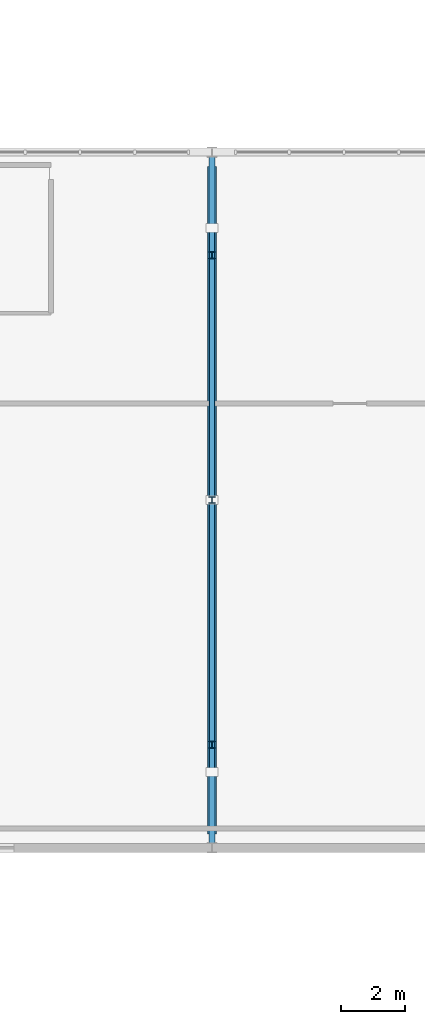
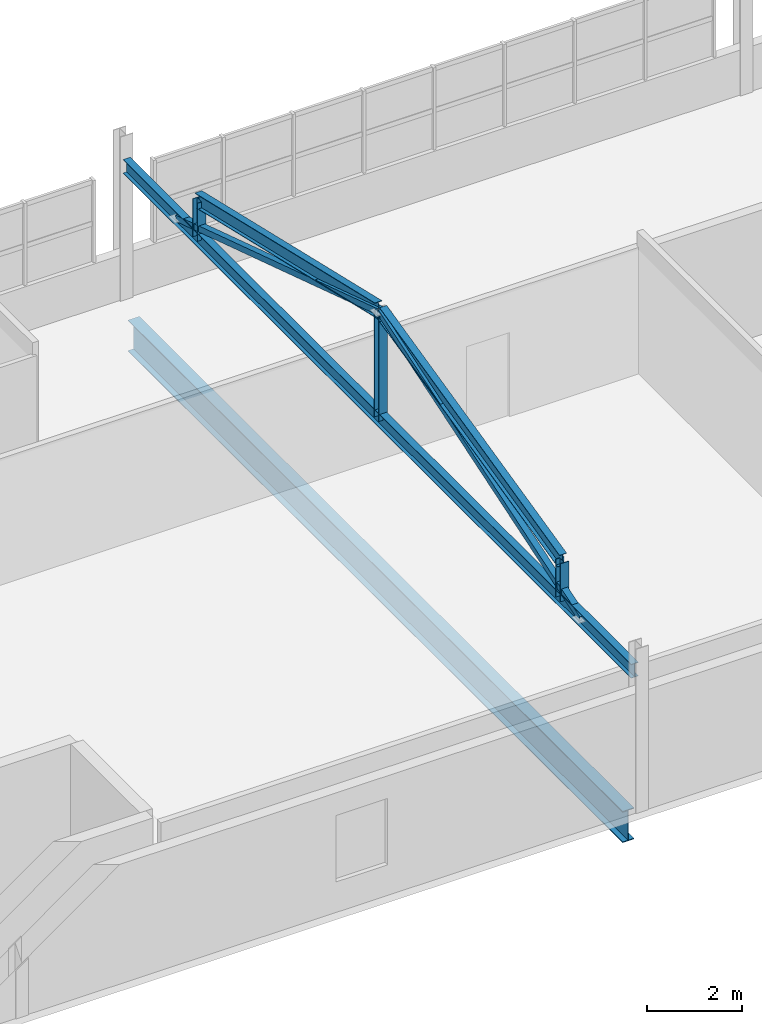
# One storey, part 14 of 90: 5 members, 4 beams.
"""IFC4 building model written with IfcOpenShell, lengths in metres."""

import ifcopenshell
import ifcopenshell.guid

model = None  # the IFC model being written
_history = None  # IfcOwnerHistory: only IFC2X3 demands one
_inside = {}  # id of a spatial element -> (the spatial element, [elements in it])
_under = {}  # id of a project, library or spatial element -> (it, [spatial elements below it])
_declared = {}  # id of a project -> (the project, [libraries it declares])
_typed = {}  # id of a type object -> (the type object, [elements of that type])
_made_of = {}  # id of a material, layer set ... -> (it, [elements and type objects made of it])


def new_model(schema):
    """Start an empty IFC model of exactly this schema.

    Asked for "IFC4X3", IfcOpenShell would pick the latest addendum, in which some entities
    have other attributes; the version numbers below select the first issue.
    IFC2X3 requires an IfcOwnerHistory on every rooted entity: one is made here for all.
    """
    global model, _history
    if schema == "IFC4X3":
        model = ifcopenshell.file(schema_version=(4, 3, 0, 0))
    else:
        model = ifcopenshell.file(schema=schema)
    _inside.clear()
    _under.clear()
    _declared.clear()
    _typed.clear()
    _made_of.clear()
    _history = None
    if model.schema == "IFC2X3":
        org = make("IfcOrganization", Name="unknown")
        user = make(
            "IfcPersonAndOrganization",
            ThePerson=make("IfcPerson", FamilyName="unknown"),
            TheOrganization=org,
        )
        app = make(
            "IfcApplication",
            ApplicationDeveloper=org,
            Version="unknown",
            ApplicationFullName="unknown",
            ApplicationIdentifier="unknown",
        )
        _history = make(
            "IfcOwnerHistory",
            OwningUser=user,
            OwningApplication=app,
            ChangeAction="ADDED",
            CreationDate=0,
        )
    return model


def make(cls, **values):
    """One entity of the class cls with the attributes given. An attribute that is None is left unset."""
    return model.create_entity(
        cls, **{name: value for name, value in values.items() if value is not None}
    )


def rooted(cls, **values):
    """An entity with a GlobalId (a new one), such as an element, a storey or a relation."""
    return make(cls, GlobalId=ifcopenshell.guid.new(), OwnerHistory=_history, **values)


def si_unit(unit_type, name, prefix=None):
    """IfcSIUnit, for example si_unit("LENGTHUNIT", "METRE", prefix="MILLI")."""
    return make("IfcSIUnit", UnitType=unit_type, Prefix=prefix, Name=name)


def assignment(units):
    """IfcUnitAssignment: the units of a project."""
    return None if units is None else make("IfcUnitAssignment", Units=units)


def point(xyz):
    """IfcCartesianPoint."""
    return None if xyz is None else make("IfcCartesianPoint", Coordinates=xyz)


def direction(xyz):
    """IfcDirection."""
    return None if xyz is None else make("IfcDirection", DirectionRatios=xyz)


def frame(location, z_axis=None, x_axis=None):
    """IfcAxis2Placement3D, a coordinate frame: its origin and axes. An axis left out is left unset."""
    return make(
        "IfcAxis2Placement3D",
        Location=point(location),
        Axis=direction(z_axis),
        RefDirection=direction(x_axis),
    )


def frame_2d(location, x_axis=None):
    """IfcAxis2Placement2D, a coordinate frame in the plane: its origin and x axis."""
    return make(
        "IfcAxis2Placement2D", Location=point(location), RefDirection=direction(x_axis)
    )


def origin():
    """The frame at (0, 0, 0) with its axes left unset."""
    return frame((0.0, 0.0, 0.0))


def origin_2d():
    """The frame at (0, 0) in the plane with its x axis left unset."""
    return frame_2d((0.0, 0.0))


def place(relative_to, where):
    """IfcLocalPlacement: puts the frame where relative to a parent placement (None: the world)."""
    return make(
        "IfcLocalPlacement", PlacementRelTo=relative_to, RelativePlacement=where
    )


def context(
    kind, dimensions, precision=None, world=None, true_north=None, identifier=None
):
    """IfcGeometricRepresentationContext, for example the 3D "Model" context."""
    return make(
        "IfcGeometricRepresentationContext",
        ContextIdentifier=identifier,
        ContextType=kind,
        CoordinateSpaceDimension=dimensions,
        Precision=precision,
        WorldCoordinateSystem=world,
        TrueNorth=true_north,
    )


def subcontext(parent, identifier, kind, view, scale=None):
    """IfcGeometricRepresentationSubContext, for example "Body" below "Model"."""
    return make(
        "IfcGeometricRepresentationSubContext",
        ContextIdentifier=identifier,
        ContextType=kind,
        ParentContext=parent,
        TargetScale=scale,
        TargetView=view,
    )


def project(units=None, contexts=None):
    """IfcProject with its units and contexts."""
    return rooted(
        "IfcProject",
        Name="project",
        RepresentationContexts=contexts,
        UnitsInContext=assignment(units),
    )


def spatial(cls, under=None, at=None, **own):
    """A site, building, storey or space (cls), placed at a placement, below another one or the project."""
    s = rooted(cls, ObjectPlacement=at, **own)
    if under is not None:
        _under.setdefault(under.id(), (under, []))[1].append(s)
    return s


def profile(cls, at=None, kind="AREA", **sizes):
    """A parametric profile (cls). Its sizes go by their IFC names, for example OverallWidth=200.0."""
    return make(cls, ProfileType=kind, Position=at, **sizes)


def hollow_rectangle(**sizes):
    """IfcRectangleHollowProfileDef."""
    return profile("IfcRectangleHollowProfileDef", **sizes)


def i_section(**sizes):
    """IfcIShapeProfileDef."""
    return profile("IfcIShapeProfileDef", **sizes)


def extrude(swept, where, along, depth):
    """IfcExtrudedAreaSolid: the profile swept, set in the frame where, extruded along a direction by depth."""
    return make(
        "IfcExtrudedAreaSolid",
        SweptArea=swept,
        Position=where,
        ExtrudedDirection=direction(along),
        Depth=depth,
    )


def shape(context_of_items, identifier, shape_type, items):
    """IfcShapeRepresentation: the items that make up one representation, for example the "Body"."""
    return make(
        "IfcShapeRepresentation",
        ContextOfItems=context_of_items,
        RepresentationIdentifier=identifier,
        RepresentationType=shape_type,
        Items=items,
    )


def material(Name=None, Category=None):
    """IfcMaterial."""
    return make("IfcMaterial", Name=Name, Category=Category)


def material_profile(
    of_material, cross_section, Name=None, Category=None, Priority=None
):
    """IfcMaterialProfile: a cross section and its material."""
    return make(
        "IfcMaterialProfile",
        Name=Name,
        Material=of_material,
        Profile=cross_section,
        Priority=Priority,
        Category=Category,
    )


def profile_set(profiles, Name=None, composite=None):
    """IfcMaterialProfileSet."""
    return make(
        "IfcMaterialProfileSet",
        Name=Name,
        MaterialProfiles=profiles,
        CompositeProfile=composite,
    )


def made_of(thing, what):
    """Note that an element or type object is made of a material, layer set ...; save() writes the relation."""
    if what is not None:
        _made_of.setdefault(what.id(), (what, []))[1].append(thing)
    return thing


def type_object(cls, material=None, **own):
    """A type object (cls), such as IfcWallType, which elements share."""
    return made_of(rooted(cls, **own), material)


def element(
    cls,
    number,
    at=None,
    inside=None,
    cuts=None,
    type_object=None,
    material=None,
    context=None,
    identifier="Body",
    shape_type=None,
    held_by="IfcProductDefinitionShape",
    body=None,
    shapes=None,
    **own,
):
    """One element of the class cls, such as IfcWall. Its Tag is "e" and its number.

    at: its placement. inside: the storey or other place that contains it. cuts: it is an
    opening in that element (IfcRelVoidsElement). A single representation is given by context,
    identifier, shape_type and body (its items); several are given by shapes. held_by: the class
    of the entity that holds the representations. save() writes the other relations.
    """
    e = rooted(cls, Tag="e%d" % number, ObjectPlacement=at, **own)
    if body is not None:
        shapes = [shape(context, identifier, shape_type, body)]
    if shapes is not None:
        e.Representation = make(held_by, Representations=shapes)
    if inside is not None:
        _inside.setdefault(inside.id(), (inside, []))[1].append(e)
    if cuts is not None:
        rooted(
            "IfcRelVoidsElement", RelatingBuildingElement=cuts, RelatedOpeningElement=e
        )
    if type_object is not None:
        _typed.setdefault(type_object.id(), (type_object, []))[1].append(e)
    return made_of(e, material)


def aggregate(whole, parts):
    """IfcRelAggregates: a whole, such as a stair, and the parts it consists of."""
    return rooted("IfcRelAggregates", RelatingObject=whole, RelatedObjects=parts)


def save(model, path):
    """Write the relations noted so far, then the file.

    IfcRelAggregates (storeys below a building ...), IfcRelContainedInSpatialStructure (elements
    in a storey), IfcRelDefinesByType, IfcRelAssociatesMaterial and IfcRelDeclares: one each for
    every whole, place, type object, material and project.
    """
    for whole, parts in _under.values():
        aggregate(whole, parts)
    for where, things in _inside.values():
        rooted(
            "IfcRelContainedInSpatialStructure",
            RelatedElements=things,
            RelatingStructure=where,
        )
    for kind, things in _typed.values():
        rooted("IfcRelDefinesByType", RelatedObjects=things, RelatingType=kind)
    for what, things in _made_of.values():
        rooted("IfcRelAssociatesMaterial", RelatedObjects=things, RelatingMaterial=what)
    for by, libraries in _declared.values():
        rooted("IfcRelDeclares", RelatingContext=by, RelatedDefinitions=libraries)
    model.write(path)


model = new_model("IFC4")

# Units and contexts
model_context = context("Model", 3, precision=1e-05, world=origin(), true_north=direction((0.0, 1.0)))
body_context = subcontext(model_context, "Body", "Model", "MODEL_VIEW")
ifc_project = project(units=[si_unit("LENGTHUNIT", "METRE"), si_unit("AREAUNIT", "SQUARE_METRE"), si_unit("VOLUMEUNIT", "CUBIC_METRE"), si_unit("PLANEANGLEUNIT", "RADIAN"), si_unit("MASSUNIT", "GRAM", prefix="KILO")], contexts=[model_context])

# Site, building, storey
site_placement = place(None, origin())
site = spatial("IfcSite", under=ifc_project, at=site_placement, CompositionType="ELEMENT")
building_placement = place(site_placement, origin())
building = spatial("IfcBuilding", under=site, at=building_placement, Name="Solanera Park Tramway Depot", CompositionType="ELEMENT")
storey_placement = place(building_placement, frame((0.0, 0.0, 9.0)))
storey = spatial("IfcBuildingStorey", under=building, at=storey_placement, Name="L02", CompositionType="ELEMENT", Elevation=9.0)

# Members
ifc_material_1 = material(Name="Steel AS/NZS 3679.1 Grade 350", Category="steel")
ifc_material_profile_1 = material_profile(ifc_material_1, i_section(OverallWidth=0.205078125, OverallDepth=0.209716796875, WebThickness=0.00927734375, FlangeThickness=0.01416015625, at=origin_2d()), Name="200UC59.5")
ifc_profile_set_1 = profile_set([ifc_material_profile_1], Name="Steel AS/NZS 3679.1 Grade 350")
member_type_1 = type_object("IfcMemberType", Name="Roof Gantry Compression Strut 200UC59.5", PredefinedType="STRUT", material=ifc_profile_set_1)
for number, where, z_axis, x_axis, name in (
    (1, (60.0, 14.0, 3.42724609375), (0.0, 0.0, 1.0), (1.0, 0.0, 0.0), "Hip ROOF TRUSS Heel Post #0107"),
    (2, (60.0, 29.199951171875, 3.42724609375), (0.0, 0.0, 1.0), (1.0, 0.0, 0.0), "Hip ROOF TRUSS Heel Post #0108"),
):
    element("IfcMember", number, at=place(storey_placement, frame(where, z_axis=z_axis, x_axis=x_axis)), inside=storey, type_object=member_type_1, Name=name, PredefinedType="STRUT", context=body_context, shape_type="SweptSolid", body=[
        extrude(i_section(OverallWidth=0.205078125, OverallDepth=0.209716796875, WebThickness=0.00927734375, FlangeThickness=0.01416015625, at=origin_2d()), origin(), (0.0, 0.0, 1.0), 0.970458984375),
    ])
member_1_placement = place(storey_placement, frame((60.0, 21.60009765625, 3.42724609375), z_axis=(0.0, 0.0, 1.0), x_axis=(1.0, 0.0, 0.0)))
element("IfcMember", 3, at=member_1_placement, inside=storey, type_object=member_type_1, Name="Hip ROOF TRUSS King Post #0109", PredefinedType="STRUT", context=body_context, shape_type="SweptSolid", body=[
    extrude(i_section(OverallWidth=0.205078125, OverallDepth=0.209716796875, WebThickness=0.00927734375, FlangeThickness=0.01416015625, at=origin_2d()), origin(), (0.0, 0.0, 1.0), 2.731201171875),
])

# Beams
ifc_material_2 = material(Name="Steel AS/NZS 3679.1 Grade 350", Category="steel")
ifc_material_profile_2 = material_profile(ifc_material_2, i_section(OverallWidth=0.17138671875, OverallDepth=0.355712890625, WebThickness=0.00732421875, FlangeThickness=0.011474609375, at=origin_2d()), Name="360UB50.7")
ifc_profile_set_2 = profile_set([ifc_material_profile_2], Name="Steel AS/NZS 3679.1 Grade 350")
beam_type_1 = type_object("IfcBeamType", Name="Steel Beam 360UB50.7", PredefinedType="BEAM", material=ifc_profile_set_2)
beam_1_placement = place(storey_placement, frame((60.0, 10.953369140625, 3.42724609375), z_axis=(0.0, 1.0, 0.0), x_axis=(-1.0, 0.0, 0.0)))
element("IfcBeam", 4, at=beam_1_placement, inside=storey, type_object=beam_type_1, Name="L02 Hip ROOF TRUSS Tie 360UB50.7 #1047", PredefinedType="BEAM", context=body_context, shape_type="SweptSolid", body=[
    extrude(i_section(OverallWidth=0.17138671875, OverallDepth=0.355712890625, WebThickness=0.00732421875, FlangeThickness=0.011474609375, at=origin_2d()), origin(), (0.0, 0.0, 1.0), 21.293212890625),
])
for number, where, z_axis, x_axis, name in (
    (5, (60.0, 14.0, 4.397705078125), (0.0, 0.973801191239, 0.227401055278), (-1.0, 0.0, 0.0), "L02 Hip ROOF TRUSS Rafter 360UB50.7 #1048"),
    (6, (60.0, 21.659912109375, 6.158447265625), (0.0, 0.973801191239, -0.227401055278), (-1.0, 0.0, 0.0), "L02 Hip ROOF TRUSS Rafter 360UB50.7 #1049"),
):
    element("IfcBeam", number, at=place(storey_placement, frame(where, z_axis=z_axis, x_axis=x_axis)), inside=storey, type_object=beam_type_1, Name=name, PredefinedType="BEAM", context=body_context, shape_type="SweptSolid", body=[
        extrude(i_section(OverallWidth=0.17138671875, OverallDepth=0.355712890625, WebThickness=0.00732421875, FlangeThickness=0.011474609375, at=origin_2d()), origin(), (0.0, 0.0, 1.0), 7.742919921875),
    ])
ifc_material_3 = material(Name="Steel AS/NZS 3679.1 Grade 350", Category="steel")
ifc_material_profile_3 = material_profile(ifc_material_3, i_section(OverallWidth=0.27490234375, OverallDepth=0.800048828125, WebThickness=0.010009765625, FlangeThickness=0.02001953125, at=origin_2d()), Name="800WB146")
ifc_profile_set_3 = profile_set([ifc_material_profile_3], Name="Steel AS/NZS 3679.1 Grade 350")
beam_type_2 = type_object("IfcBeamType", Name="Steel Beam 800WB146", PredefinedType="BEAM", material=ifc_profile_set_3)
beam_2_placement = place(storey_placement, frame((60.0, 11.22509765625, -0.7041015625), z_axis=(0.0, 1.0, 0.0), x_axis=(-1.0, 0.0, 0.0)))
element("IfcBeam", 7, at=beam_2_placement, inside=storey, type_object=beam_type_2, Name="L02 Primary Y-Girder 800WB146 #0142", PredefinedType="BEAM", context=body_context, shape_type="SweptSolid", body=[
    extrude(i_section(OverallWidth=0.27490234375, OverallDepth=0.800048828125, WebThickness=0.010009765625, FlangeThickness=0.02001953125, at=origin_2d()), origin(), (0.0, 0.0, 1.0), 20.724853515625),
])

# Members
ifc_material_4 = material(Name="Steel AS/NZS 1163 Grade C350L0", Category="steel")
ifc_material_profile_4 = material_profile(ifc_material_4, hollow_rectangle(XDim=0.14990234375, YDim=0.14990234375, WallThickness=0.006103515625, at=origin_2d()), Name="150x150x6.0 SHS")
ifc_profile_set_4 = profile_set([ifc_material_profile_4], Name="Steel AS/NZS 1163 Grade C350L0")
member_type_2 = type_object("IfcMemberType", Name="Truss and Frame Brace 150x150x6.0 SHS", PredefinedType="BRACE", material=ifc_profile_set_4)
member_2_placement = place(storey_placement, frame((60.0, 13.1533203125, 3.42724609375), z_axis=(0.0, 0.951496622075, 0.307659191605), x_axis=(-1.0, 0.0, 0.0)))
element("IfcMember", 8, at=member_2_placement, inside=storey, type_object=member_type_2, Name="Hip ROOF TRUSS Web #0439", PredefinedType="BRACE", context=body_context, shape_type="SweptSolid", body=[
    extrude(hollow_rectangle(XDim=0.14990234375, YDim=0.14990234375, WallThickness=0.006103515625, at=origin_2d()), origin(), (0.0, 0.0, 1.0), 8.87744140625),
])
member_3_placement = place(storey_placement, frame((60.0, 30.046630859375, 3.42724609375), z_axis=(0.0, -0.951494018842, 0.3076672425), x_axis=(1.0, 0.0, 0.0)))
element("IfcMember", 9, at=member_3_placement, inside=storey, type_object=member_type_2, Name="Hip ROOF TRUSS Web #0440", PredefinedType="BRACE", context=body_context, shape_type="SweptSolid", body=[
    extrude(hollow_rectangle(XDim=0.14990234375, YDim=0.14990234375, WallThickness=0.006103515625, at=origin_2d()), origin(), (0.0, 0.0, 1.0), 8.877197265625),
])

save(model, "model.ifc")
